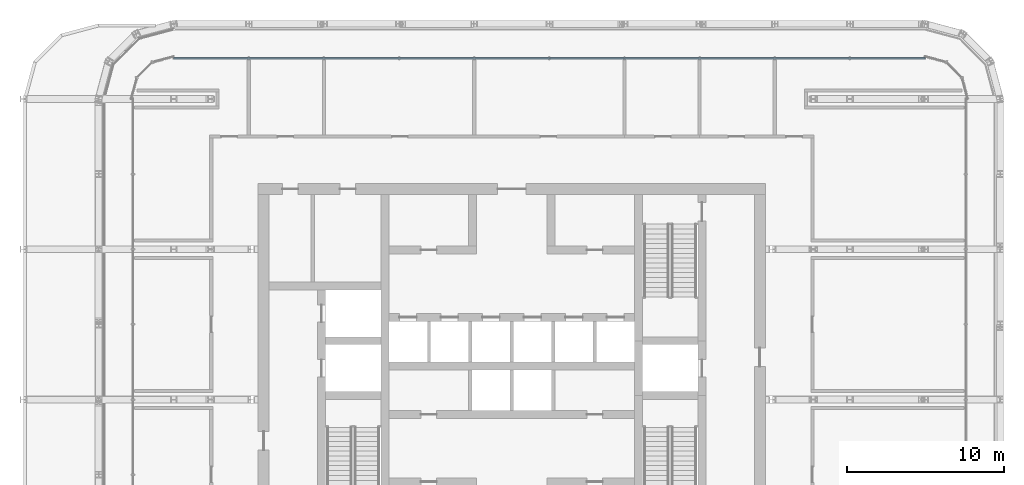
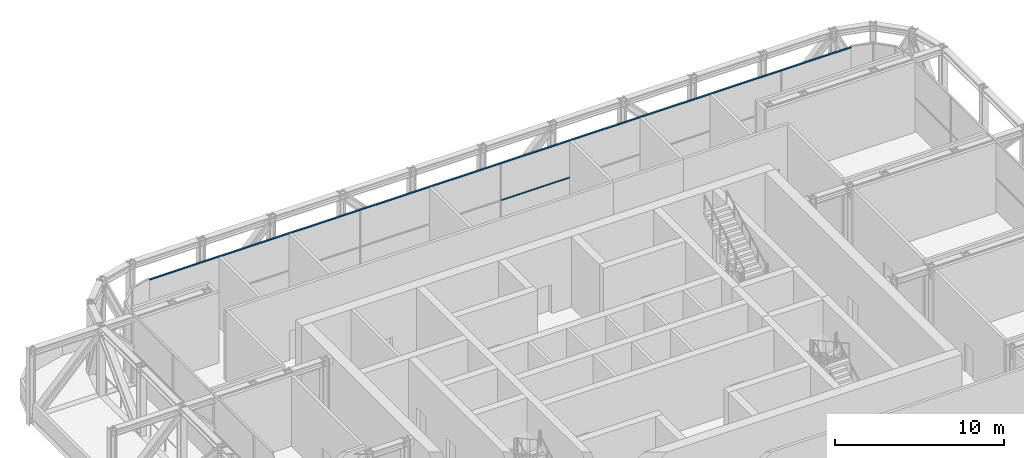
# One storey, part 15 of 30: 2 members, 1 element without a shape of its own.
"""IFC4 building model written with IfcOpenShell, lengths in metres."""

from ifc_helpers import new_model, si_unit, direction, frame, origin, origin_2d, place, context, subcontext, project, spatial, rectangle, extrude, material, layer, layer_set, material_profile, profile_set, type_object, element, aggregate, save


model = new_model("IFC4")

# Units and contexts
model_context = context("Model", 3, precision=1e-05, world=origin(), true_north=direction((0.0, 1.0)))
body_context = subcontext(model_context, "Body", "Model", "MODEL_VIEW")
ifc_project = project(units=[si_unit("LENGTHUNIT", "METRE"), si_unit("AREAUNIT", "SQUARE_METRE"), si_unit("VOLUMEUNIT", "CUBIC_METRE"), si_unit("PLANEANGLEUNIT", "RADIAN"), si_unit("MASSUNIT", "GRAM", prefix="KILO")], contexts=[model_context])

# Site, building, storey
site_placement = place(None, origin())
site = spatial("IfcSite", under=ifc_project, at=site_placement, CompositionType="ELEMENT")
building_placement = place(site_placement, origin())
building = spatial("IfcBuilding", under=site, at=building_placement, Name="Madar Terraces", CompositionType="ELEMENT")
storey_placement = place(building_placement, frame((0.0, 0.0, 173.5)))
storey = spatial("IfcBuildingStorey", under=building, at=storey_placement, Name="L45", CompositionType="ELEMENT", Elevation=173.5)

# Curtain wall, members
ifc_material_1 = material(Name="Glass, ceramic frit dark grey, with black aluminium frame", Category="aluminium")
ifc_layer = layer(ifc_material_1, 0.199951171875)
ifc_layer_set = layer_set([ifc_layer], Name="Facade curtain wall, tall glazing")
curtain_wall_type = type_object("IfcCurtainWallType", Name="Facade curtain wall, tall glazing", PredefinedType="NOTDEFINED", material=ifc_layer_set)
curtain_wall_placement = place(storey_placement, origin())
curtain_wall = element("IfcCurtainWall", 1, at=curtain_wall_placement, inside=storey, type_object=curtain_wall_type, Name="Outer skin curtain wall north bay 1", PredefinedType="NOTDEFINED")
ifc_material_2 = material(Name="Aluminium, black anodised", Category="aluminium")
ifc_material_profile = material_profile(ifc_material_2, rectangle(XDim=0.1201171875, YDim=0.06005859375, at=origin_2d()), Name="Facade transom 60x120")
ifc_profile_set = profile_set([ifc_material_profile], Name="Aluminium, black anodised")
member_type = type_object("IfcMemberType", Name="Facade transom 60x120", PredefinedType="USERDEFINED", material=ifc_profile_set)
member_1_placement = place(storey_placement, frame((57.60009765625, 45.800048828125, 5.070068359375), z_axis=(-1.0, 0.0, 0.0), x_axis=(0.0, -1.0, 0.0)))
member_1 = element("IfcMember", 2, at=member_1_placement, type_object=member_type, Name="Transom 1", ObjectType="TRANSOM", PredefinedType="USERDEFINED", context=body_context, shape_type="SweptSolid", body=[
    extrude(rectangle(XDim=0.1201171875, YDim=0.06005859375, at=origin_2d()), origin(), (0.0, 0.0, 1.0), 48.0),
])
member_2_placement = place(storey_placement, frame((38.3701171875, 45.800048828125, 2.39990234375), z_axis=(-1.0, 0.0, 0.0), x_axis=(0.0, -1.0, 0.0)))
member_2 = element("IfcMember", 3, at=member_2_placement, type_object=member_type, Name="Transom 6", ObjectType="TRANSOM", PredefinedType="USERDEFINED", context=body_context, shape_type="SweptSolid", body=[
    extrude(rectangle(XDim=0.1201171875, YDim=0.06005859375, at=origin_2d()), origin(), (0.0, 0.0, 1.0), 4.740234375),
])
aggregate(curtain_wall, [member_1, member_2])

save(model, "model.ifc")
